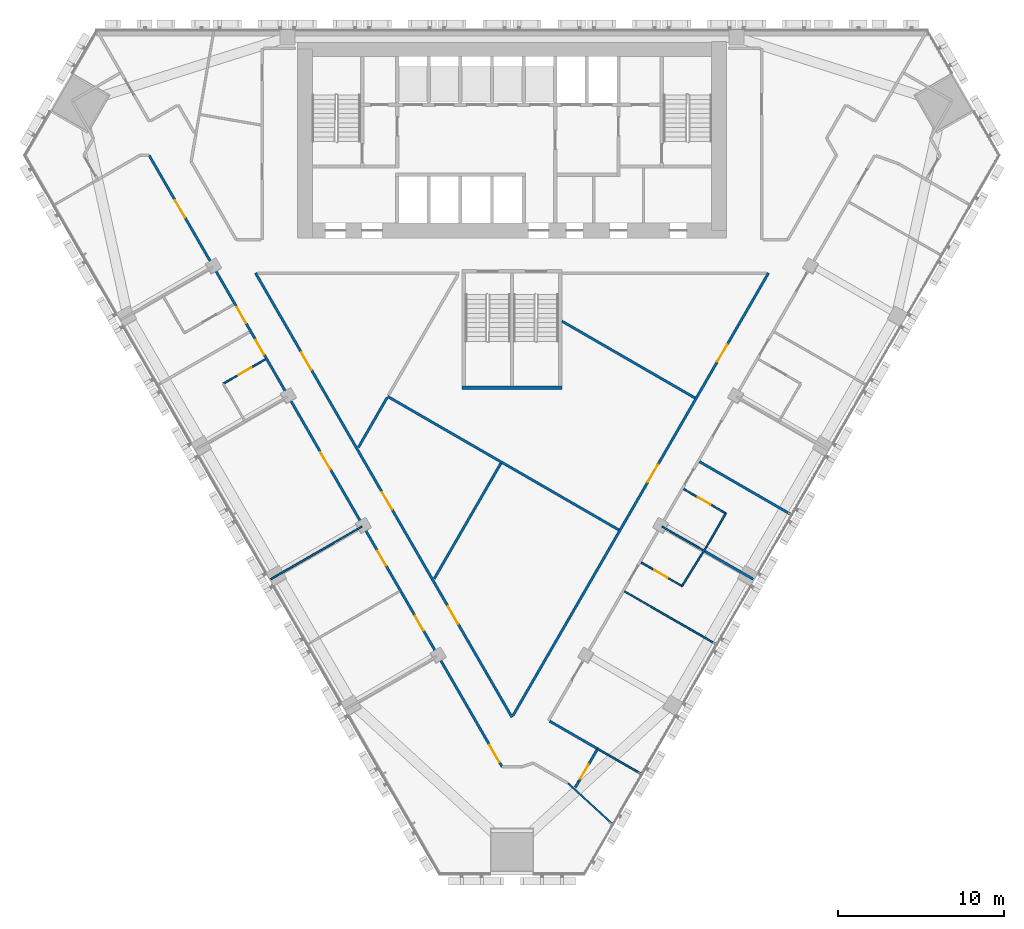
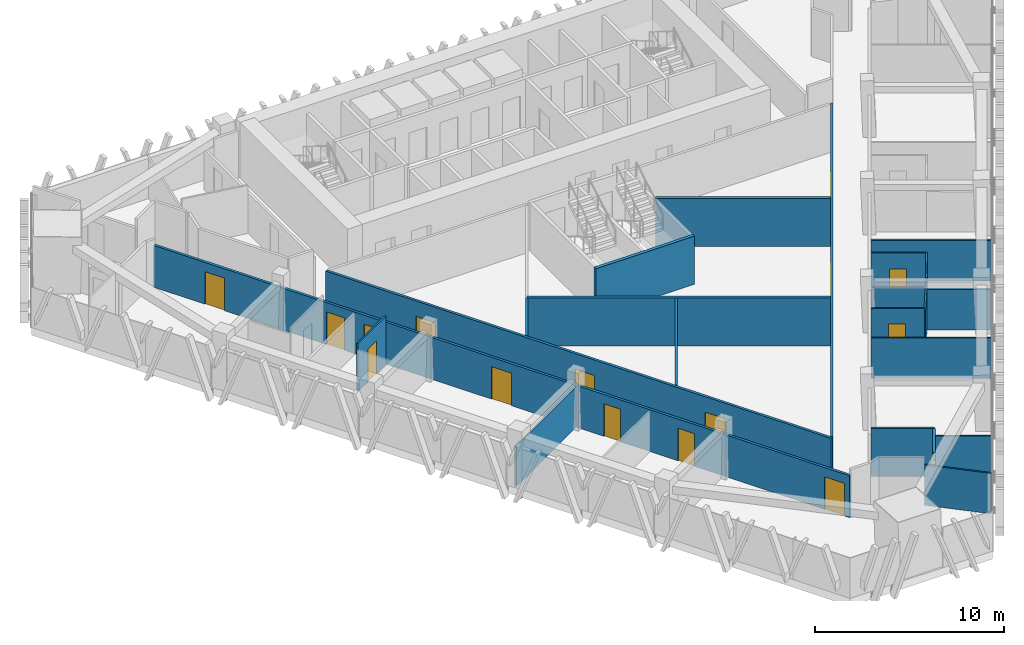
# One storey, part 9 of 16: 23 walls, 16 doors, 16 openings.
"""IFC4 building model written with IfcOpenShell, lengths in metres."""

import ifcopenshell
import ifcopenshell.guid

model = None  # the IFC model being written
_history = None  # IfcOwnerHistory: only IFC2X3 demands one
_inside = {}  # id of a spatial element -> (the spatial element, [elements in it])
_under = {}  # id of a project, library or spatial element -> (it, [spatial elements below it])
_declared = {}  # id of a project -> (the project, [libraries it declares])
_typed = {}  # id of a type object -> (the type object, [elements of that type])
_made_of = {}  # id of a material, layer set ... -> (it, [elements and type objects made of it])


def new_model(schema):
    """Start an empty IFC model of exactly this schema.

    Asked for "IFC4X3", IfcOpenShell would pick the latest addendum, in which some entities
    have other attributes; the version numbers below select the first issue.
    IFC2X3 requires an IfcOwnerHistory on every rooted entity: one is made here for all.
    """
    global model, _history
    if schema == "IFC4X3":
        model = ifcopenshell.file(schema_version=(4, 3, 0, 0))
    else:
        model = ifcopenshell.file(schema=schema)
    _inside.clear()
    _under.clear()
    _declared.clear()
    _typed.clear()
    _made_of.clear()
    _history = None
    if model.schema == "IFC2X3":
        org = make("IfcOrganization", Name="unknown")
        user = make(
            "IfcPersonAndOrganization",
            ThePerson=make("IfcPerson", FamilyName="unknown"),
            TheOrganization=org,
        )
        app = make(
            "IfcApplication",
            ApplicationDeveloper=org,
            Version="unknown",
            ApplicationFullName="unknown",
            ApplicationIdentifier="unknown",
        )
        _history = make(
            "IfcOwnerHistory",
            OwningUser=user,
            OwningApplication=app,
            ChangeAction="ADDED",
            CreationDate=0,
        )
    return model


def make(cls, **values):
    """One entity of the class cls with the attributes given. An attribute that is None is left unset."""
    return model.create_entity(
        cls, **{name: value for name, value in values.items() if value is not None}
    )


def rooted(cls, **values):
    """An entity with a GlobalId (a new one), such as an element, a storey or a relation."""
    return make(cls, GlobalId=ifcopenshell.guid.new(), OwnerHistory=_history, **values)


def si_unit(unit_type, name, prefix=None):
    """IfcSIUnit, for example si_unit("LENGTHUNIT", "METRE", prefix="MILLI")."""
    return make("IfcSIUnit", UnitType=unit_type, Prefix=prefix, Name=name)


def assignment(units):
    """IfcUnitAssignment: the units of a project."""
    return None if units is None else make("IfcUnitAssignment", Units=units)


def point(xyz):
    """IfcCartesianPoint."""
    return None if xyz is None else make("IfcCartesianPoint", Coordinates=xyz)


def direction(xyz):
    """IfcDirection."""
    return None if xyz is None else make("IfcDirection", DirectionRatios=xyz)


def frame(location, z_axis=None, x_axis=None):
    """IfcAxis2Placement3D, a coordinate frame: its origin and axes. An axis left out is left unset."""
    return make(
        "IfcAxis2Placement3D",
        Location=point(location),
        Axis=direction(z_axis),
        RefDirection=direction(x_axis),
    )


def frame_2d(location, x_axis=None):
    """IfcAxis2Placement2D, a coordinate frame in the plane: its origin and x axis."""
    return make(
        "IfcAxis2Placement2D", Location=point(location), RefDirection=direction(x_axis)
    )


def origin():
    """The frame at (0, 0, 0) with its axes left unset."""
    return frame((0.0, 0.0, 0.0))


def place(relative_to, where):
    """IfcLocalPlacement: puts the frame where relative to a parent placement (None: the world)."""
    return make(
        "IfcLocalPlacement", PlacementRelTo=relative_to, RelativePlacement=where
    )


def context(
    kind, dimensions, precision=None, world=None, true_north=None, identifier=None
):
    """IfcGeometricRepresentationContext, for example the 3D "Model" context."""
    return make(
        "IfcGeometricRepresentationContext",
        ContextIdentifier=identifier,
        ContextType=kind,
        CoordinateSpaceDimension=dimensions,
        Precision=precision,
        WorldCoordinateSystem=world,
        TrueNorth=true_north,
    )


def subcontext(parent, identifier, kind, view, scale=None):
    """IfcGeometricRepresentationSubContext, for example "Body" below "Model"."""
    return make(
        "IfcGeometricRepresentationSubContext",
        ContextIdentifier=identifier,
        ContextType=kind,
        ParentContext=parent,
        TargetScale=scale,
        TargetView=view,
    )


def project(units=None, contexts=None):
    """IfcProject with its units and contexts."""
    return rooted(
        "IfcProject",
        Name="project",
        RepresentationContexts=contexts,
        UnitsInContext=assignment(units),
    )


def spatial(cls, under=None, at=None, **own):
    """A site, building, storey or space (cls), placed at a placement, below another one or the project."""
    s = rooted(cls, ObjectPlacement=at, **own)
    if under is not None:
        _under.setdefault(under.id(), (under, []))[1].append(s)
    return s


def profile(cls, at=None, kind="AREA", **sizes):
    """A parametric profile (cls). Its sizes go by their IFC names, for example OverallWidth=200.0."""
    return make(cls, ProfileType=kind, Position=at, **sizes)


def rectangle(**sizes):
    """IfcRectangleProfileDef."""
    return profile("IfcRectangleProfileDef", **sizes)


def extrude(swept, where, along, depth):
    """IfcExtrudedAreaSolid: the profile swept, set in the frame where, extruded along a direction by depth."""
    return make(
        "IfcExtrudedAreaSolid",
        SweptArea=swept,
        Position=where,
        ExtrudedDirection=direction(along),
        Depth=depth,
    )


def shape(context_of_items, identifier, shape_type, items):
    """IfcShapeRepresentation: the items that make up one representation, for example the "Body"."""
    return make(
        "IfcShapeRepresentation",
        ContextOfItems=context_of_items,
        RepresentationIdentifier=identifier,
        RepresentationType=shape_type,
        Items=items,
    )


def material(Name=None, Category=None):
    """IfcMaterial."""
    return make("IfcMaterial", Name=Name, Category=Category)


def layer(
    of_material, thickness, ventilated=None, Name=None, Category=None, Priority=None
):
    """IfcMaterialLayer: one layer of a wall or slab, of a material (None: an air gap)."""
    return make(
        "IfcMaterialLayer",
        Material=of_material,
        LayerThickness=thickness,
        IsVentilated=ventilated,
        Name=Name,
        Category=Category,
        Priority=Priority,
    )


def layer_set(layers, Name=None):
    """IfcMaterialLayerSet."""
    return make("IfcMaterialLayerSet", MaterialLayers=layers, LayerSetName=Name)


def made_of(thing, what):
    """Note that an element or type object is made of a material, layer set ...; save() writes the relation."""
    if what is not None:
        _made_of.setdefault(what.id(), (what, []))[1].append(thing)
    return thing


def type_object(cls, material=None, **own):
    """A type object (cls), such as IfcWallType, which elements share."""
    return made_of(rooted(cls, **own), material)


def element(
    cls,
    number,
    at=None,
    inside=None,
    cuts=None,
    type_object=None,
    material=None,
    context=None,
    identifier="Body",
    shape_type=None,
    held_by="IfcProductDefinitionShape",
    body=None,
    shapes=None,
    **own,
):
    """One element of the class cls, such as IfcWall. Its Tag is "e" and its number.

    at: its placement. inside: the storey or other place that contains it. cuts: it is an
    opening in that element (IfcRelVoidsElement). A single representation is given by context,
    identifier, shape_type and body (its items); several are given by shapes. held_by: the class
    of the entity that holds the representations. save() writes the other relations.
    """
    e = rooted(cls, Tag="e%d" % number, ObjectPlacement=at, **own)
    if body is not None:
        shapes = [shape(context, identifier, shape_type, body)]
    if shapes is not None:
        e.Representation = make(held_by, Representations=shapes)
    if inside is not None:
        _inside.setdefault(inside.id(), (inside, []))[1].append(e)
    if cuts is not None:
        rooted(
            "IfcRelVoidsElement", RelatingBuildingElement=cuts, RelatedOpeningElement=e
        )
    if type_object is not None:
        _typed.setdefault(type_object.id(), (type_object, []))[1].append(e)
    return made_of(e, material)


def fill(opening, filler):
    """IfcRelFillsElement: the door or window that sits in an opening."""
    return rooted(
        "IfcRelFillsElement",
        RelatingOpeningElement=opening,
        RelatedBuildingElement=filler,
    )


def aggregate(whole, parts):
    """IfcRelAggregates: a whole, such as a stair, and the parts it consists of."""
    return rooted("IfcRelAggregates", RelatingObject=whole, RelatedObjects=parts)


def save(model, path):
    """Write the relations noted so far, then the file.

    IfcRelAggregates (storeys below a building ...), IfcRelContainedInSpatialStructure (elements
    in a storey), IfcRelDefinesByType, IfcRelAssociatesMaterial and IfcRelDeclares: one each for
    every whole, place, type object, material and project.
    """
    for whole, parts in _under.values():
        aggregate(whole, parts)
    for where, things in _inside.values():
        rooted(
            "IfcRelContainedInSpatialStructure",
            RelatedElements=things,
            RelatingStructure=where,
        )
    for kind, things in _typed.values():
        rooted("IfcRelDefinesByType", RelatedObjects=things, RelatingType=kind)
    for what, things in _made_of.values():
        rooted("IfcRelAssociatesMaterial", RelatedObjects=things, RelatingMaterial=what)
    for by, libraries in _declared.values():
        rooted("IfcRelDeclares", RelatingContext=by, RelatedDefinitions=libraries)
    model.write(path)


model = new_model("IFC4")

# Units and contexts
model_context = context("Model", 3, precision=1e-05, world=origin(), true_north=direction((0.0, 1.0)))
body_context = subcontext(model_context, "Body", "Model", "MODEL_VIEW")
ifc_project = project(units=[si_unit("LENGTHUNIT", "METRE"), si_unit("AREAUNIT", "SQUARE_METRE"), si_unit("VOLUMEUNIT", "CUBIC_METRE"), si_unit("PLANEANGLEUNIT", "RADIAN"), si_unit("MASSUNIT", "GRAM", prefix="KILO")], contexts=[model_context])

# Site, building, storey
site_placement = place(None, origin())
site = spatial("IfcSite", under=ifc_project, at=site_placement, CompositionType="ELEMENT")
building_placement = place(site_placement, origin())
building = spatial("IfcBuilding", under=site, at=building_placement, Name="Altiplano Prism Tower", CompositionType="ELEMENT")
storey_placement = place(building_placement, frame((0.0, 0.0, 88.199951171875)))
storey = spatial("IfcBuildingStorey", under=building, at=storey_placement, Name="L22", CompositionType="ELEMENT", Elevation=88.199951171875)

# Wall, opening, door
ifc_material_1 = material(Name="Plasterboard on steel stud", Category="steel")
ifc_layer_1 = layer(ifc_material_1, 0.10009765625)
ifc_layer_set_1 = layer_set([ifc_layer_1], Name="Plasterboard on steel stud")
wall_type_1 = type_object("IfcWallType", Name="Partition 100 unit", PredefinedType="PARTITIONING", material=ifc_layer_set_1)
wall_1_placement = place(storey_placement, frame((67.654296875, 83.754150390625, 0.0), z_axis=(0.0, 0.0, 1.0), x_axis=(0.866046596414, 0.499963291492, 0.0)))
wall_1 = element("IfcWall", 1, at=wall_1_placement, inside=storey, type_object=wall_type_1, Name="Partition P02 L22 055", PredefinedType="PARTITIONING", context=body_context, shape_type="SweptSolid", body=[
    extrude(rectangle(XDim=2.925048828125, YDim=0.10009765625, at=frame_2d((1.46240234375, 0.0))), origin(), (0.0, 0.0, 1.0), 3.10009765625),
])
opening_1_placement = place(wall_1_placement, frame((1.050048828125, 0.0, 0.0)))
opening_1 = element("IfcOpeningElement", 2, at=opening_1_placement, cuts=wall_1, Name="Opening D0824", PredefinedType="OPENING", context=body_context, shape_type="SweptSolid", body=[
    extrude(rectangle(XDim=0.89990234375, YDim=2.10009765625, at=frame_2d((0.449951171875, 1.050048828125))), frame((0.0, 0.060546875, 0.0), z_axis=(0.0, -1.0, 0.0), x_axis=(1.0, 0.0, 0.0)), (0.0, 0.0, 1.0), 0.12109375),
])
ifc_material_2 = material(Name="Timber", Category="wood")
door_type_1 = type_object("IfcDoorType", Name="Ensuite door 900 x 2100", OperationType="NOTDEFINED", PredefinedType="NOTDEFINED", material=ifc_material_2)
door_1_placement = place(opening_1_placement, origin())
door_1 = element("IfcDoor", 3, at=door_1_placement, inside=storey, type_object=door_type_1, Name="Door D0824", OperationType="SINGLE_SWING_LEFT", OverallHeight=2.10009765625, OverallWidth=0.89990234375, PredefinedType="NOTDEFINED", context=body_context, shape_type="SweptSolid", body=[
    extrude(rectangle(XDim=0.89990234375, YDim=2.10009765625, at=frame_2d((0.449951171875, 1.050048828125))), frame((0.0, 0.02490234375, 0.0), z_axis=(0.0, -1.0, 0.0), x_axis=(1.0, 0.0, 0.0)), (0.0, 0.0, 1.0), 0.050048828125),
])
fill(opening_1, door_1)

# Wall
wall_2_placement = place(storey_placement, frame((96.695556640625, 73.968017578125, 0.0), z_axis=(0.0, 0.0, 1.0), x_axis=(-0.530562750291, -0.847645661821, 0.0)))
element("IfcWall", 4, at=wall_2_placement, inside=storey, type_object=wall_type_1, Name="Partition P02 L22 063", PredefinedType="PARTITIONING", context=body_context, shape_type="SweptSolid", body=[
    extrude(rectangle(XDim=2.8017578125, YDim=0.10009765625, at=frame_2d((1.40087890625, 0.0))), origin(), (0.0, 0.0, 1.0), 2.699951171875),
])

# Wall, opening, door
wall_3_placement = place(storey_placement, frame((95.208984375, 71.593017578125, 0.0), z_axis=(0.0, 0.0, 1.0), x_axis=(-0.866011447264, 0.500024172624, 0.0)))
wall_3 = element("IfcWall", 5, at=wall_3_placement, inside=storey, type_object=wall_type_1, Name="Partition P02 L22 064", PredefinedType="PARTITIONING", context=body_context, shape_type="SweptSolid", body=[
    extrude(rectangle(XDim=2.824951171875, YDim=0.10009765625, at=frame_2d((1.41259765625, 0.0))), origin(), (0.0, 0.0, 1.0), 3.10009765625),
])
opening_2_placement = place(wall_3_placement, frame((1.0, 0.0, 0.0)))
opening_2 = element("IfcOpeningElement", 6, at=opening_2_placement, cuts=wall_3, Name="Opening D0832", PredefinedType="OPENING", context=body_context, shape_type="SweptSolid", body=[
    extrude(rectangle(XDim=0.89990234375, YDim=2.10009765625, at=frame_2d((0.449951171875, 1.050048828125))), frame((0.0, 0.060546875, 0.0), z_axis=(0.0, -1.0, 0.0), x_axis=(1.0, 0.0, 0.0)), (0.0, 0.0, 1.0), 0.12109375),
])
door_2_placement = place(opening_2_placement, origin())
door_2 = element("IfcDoor", 7, at=door_2_placement, inside=storey, type_object=door_type_1, Name="Door D0832", OperationType="SINGLE_SWING_LEFT", OverallHeight=2.10009765625, OverallWidth=0.89990234375, PredefinedType="NOTDEFINED", context=body_context, shape_type="SweptSolid", body=[
    extrude(rectangle(XDim=0.89990234375, YDim=2.10009765625, at=frame_2d((0.449951171875, 1.050048828125))), frame((0.0, 0.02490234375, 0.0), z_axis=(0.0, -1.0, 0.0), x_axis=(1.0, 0.0, 0.0)), (0.0, 0.0, 1.0), 0.050048828125),
])
fill(opening_2, door_2)

wall_4_placement = place(storey_placement, frame((95.3125, 77.42236328125, 0.0), z_axis=(0.0, 0.0, 1.0), x_axis=(0.86601045545, -0.500025890382, 0.0)))
wall_4 = element("IfcWall", 8, at=wall_4_placement, inside=storey, type_object=wall_type_1, Name="Partition P02 L22 067", PredefinedType="PARTITIONING", context=body_context, shape_type="SweptSolid", body=[
    extrude(rectangle(XDim=2.925048828125, YDim=0.10009765625, at=frame_2d((1.46240234375, 0.0))), origin(), (0.0, 0.0, 1.0), 3.10009765625),
])
opening_3_placement = place(wall_4_placement, frame((0.97509765625, 0.0, 0.0)))
opening_3 = element("IfcOpeningElement", 9, at=opening_3_placement, cuts=wall_4, Name="Opening D0834", PredefinedType="OPENING", context=body_context, shape_type="SweptSolid", body=[
    extrude(rectangle(XDim=0.89990234375, YDim=2.10009765625, at=frame_2d((0.449951171875, 1.050048828125))), frame((0.0, 0.060546875, 0.0), z_axis=(0.0, -1.0, 0.0), x_axis=(1.0, 0.0, 0.0)), (0.0, 0.0, 1.0), 0.12109375),
])
door_3_placement = place(opening_3_placement, origin())
door_3 = element("IfcDoor", 10, at=door_3_placement, inside=storey, type_object=door_type_1, Name="Door D0834", OperationType="SINGLE_SWING_LEFT", OverallHeight=2.10009765625, OverallWidth=0.89990234375, PredefinedType="NOTDEFINED", context=body_context, shape_type="SweptSolid", body=[
    extrude(rectangle(XDim=0.89990234375, YDim=2.10009765625, at=frame_2d((0.449951171875, 1.050048828125))), frame((0.0, 0.02490234375, 0.0), z_axis=(0.0, -1.0, 0.0), x_axis=(1.0, 0.0, 0.0)), (0.0, 0.0, 1.0), 0.050048828125),
])
fill(opening_3, door_3)

# Walls
wall_5_placement = place(storey_placement, frame((97.845703125, 75.959716796875, 0.0), z_axis=(0.0, 0.0, 1.0), x_axis=(-0.500077740698, -0.865980515519, 0.0)))
element("IfcWall", 11, at=wall_5_placement, inside=storey, type_object=wall_type_1, Name="Partition P02 L22 068", PredefinedType="PARTITIONING", context=body_context, shape_type="SweptSolid", body=[
    extrude(rectangle(XDim=2.300048828125, YDim=0.10009765625, at=frame_2d((1.14990234375, 0.0))), origin(), (0.0, 0.0, 1.0), 3.10009765625),
])
ifc_layer_2 = layer(ifc_material_1, 0.10009765625)
ifc_layer_set_2 = layer_set([ifc_layer_2], Name="Plasterboard on steel stud")
wall_type_2 = type_object("IfcWallType", Name="Partition 100 wet", PredefinedType="PARTITIONING", material=ifc_layer_set_2)
wall_6_placement = place(storey_placement, frame((70.510009765625, 72.008056640625, 0.0), z_axis=(0.0, 0.0, 1.0), x_axis=(0.866015887322, 0.500016482634, 0.0)))
element("IfcWall", 12, at=wall_6_placement, inside=storey, type_object=wall_type_2, Name="Partition P03 L22 057", PredefinedType="PARTITIONING", context=body_context, shape_type="SweptSolid", body=[
    extrude(rectangle(XDim=6.324951171875, YDim=0.10009765625, at=frame_2d((3.16259765625, 0.0))), origin(), (0.0, 0.0, 1.0), 2.60009765625),
])
wall_7_placement = place(storey_placement, frame((91.026611328125, 57.306884765625, 0.0), z_axis=(0.0, 0.0, 1.0), x_axis=(-0.736909652075, 0.675991246007, 0.0)))
element("IfcWall", 13, at=wall_7_placement, inside=storey, type_object=wall_type_2, Name="Partition P03 L22 060", PredefinedType="PARTITIONING", context=body_context, shape_type="SweptSolid", body=[
    extrude(rectangle(XDim=3.60693359375, YDim=0.10009765625, at=frame_2d((1.803466796875, 0.0))), origin(), (0.0, 0.0, 1.0), 2.60009765625),
])
wall_8_placement = place(storey_placement, frame((92.757568359375, 60.306640625, 0.0), z_axis=(0.0, 0.0, 1.0), x_axis=(-0.865995682262, 0.500051475653, 0.0)))
element("IfcWall", 14, at=wall_8_placement, inside=storey, type_object=wall_type_2, Name="Partition P03 L22 061", PredefinedType="PARTITIONING", context=body_context, shape_type="SweptSolid", body=[
    extrude(rectangle(XDim=3.040283203125, YDim=0.10009765625, at=frame_2d((1.52001953125, 0.0))), origin(), (0.0, 0.0, 1.0), 2.60009765625),
])
wall_9_placement = place(storey_placement, frame((97.257568359375, 68.100830078125, 0.0), z_axis=(0.0, 0.0, 1.0), x_axis=(-0.866025401434, 0.500000004071, 0.0)))
element("IfcWall", 15, at=wall_9_placement, inside=storey, type_object=wall_type_2, Name="Partition P03 L22 062", PredefinedType="PARTITIONING", context=body_context, shape_type="SweptSolid", body=[
    extrude(rectangle(XDim=6.34521484375, YDim=0.10009765625, at=frame_2d((3.172607421875, 0.0))), origin(), (0.0, 0.0, 1.0), 2.60009765625),
])
wall_10_placement = place(storey_placement, frame((96.476318359375, 73.748046875, 0.0), z_axis=(0.0, 0.0, 1.0), x_axis=(-0.866011243319, 0.500024525844, 0.0)))
element("IfcWall", 16, at=wall_10_placement, inside=storey, type_object=wall_type_2, Name="Partition P03 L22 066", PredefinedType="PARTITIONING", context=body_context, shape_type="SweptSolid", body=[
    extrude(rectangle(XDim=2.844970703125, YDim=0.10009765625, at=frame_2d((1.42236328125, 0.0))), origin(), (0.0, 0.0, 1.0), 2.699951171875),
])

# Wall, openings, doors
ifc_layer_3 = layer(ifc_material_1, 0.14990234375)
ifc_layer_set_3 = layer_set([ifc_layer_3], Name="Plasterboard on steel stud")
wall_type_3 = type_object("IfcWallType", Name="Partition 150 corridor", PredefinedType="PARTITIONING", material=ifc_layer_set_3)
wall_11_placement = place(storey_placement, frame((63.197998046875, 97.472900390625, 0.0), z_axis=(0.0, 0.0, 1.0), x_axis=(0.499996804348, -0.866027248787, 0.0)))
wall_11 = element("IfcWall", 17, at=wall_11_placement, inside=storey, type_object=wall_type_3, Name="Partition P06 L22 017", PredefinedType="PARTITIONING", context=body_context, shape_type="SweptSolid", body=[
    extrude(rectangle(XDim=42.418212890625, YDim=0.14990234375, at=frame_2d((21.208984375, 0.0))), origin(), (0.0, 0.0, 1.0), 2.699951171875),
])
opening_4_placement = place(wall_11_placement, frame((3.123046875, 0.0, 0.0)))
opening_4 = element("IfcOpeningElement", 18, at=opening_4_placement, cuts=wall_11, Name="Opening D0820", PredefinedType="OPENING", context=body_context, shape_type="SweptSolid", body=[
    extrude(rectangle(XDim=1.199951171875, YDim=2.10009765625, at=frame_2d((0.60009765625, 1.050048828125))), frame((0.0, 0.08544921875, 0.0), z_axis=(0.0, -1.0, 0.0), x_axis=(1.0, 0.0, 0.0)), (0.0, 0.0, 1.0), 0.1708984375),
])
opening_5_placement = place(wall_11_placement, frame((10.5380859375, 0.0, 0.0)))
opening_5 = element("IfcOpeningElement", 19, at=opening_5_placement, cuts=wall_11, Name="Opening D0821", PredefinedType="OPENING", context=body_context, shape_type="SweptSolid", body=[
    extrude(rectangle(XDim=1.10009765625, YDim=2.10009765625, at=frame_2d((0.550048828125, 1.050048828125))), frame((0.0, 0.08544921875, 0.0), z_axis=(0.0, -1.0, 0.0), x_axis=(1.0, 0.0, 0.0)), (0.0, 0.0, 1.0), 0.1708984375),
])
opening_6_placement = place(wall_11_placement, frame((12.81396484375, 0.0, 0.0)))
opening_6 = element("IfcOpeningElement", 20, at=opening_6_placement, cuts=wall_11, Name="Opening D0823", PredefinedType="OPENING", context=body_context, shape_type="SweptSolid", body=[
    extrude(rectangle(XDim=1.0, YDim=2.10009765625, at=frame_2d((0.5, 1.050048828125))), frame((0.0, 0.08544921875, 0.0), z_axis=(0.0, -1.0, 0.0), x_axis=(1.0, 0.0, 0.0)), (0.0, 0.0, 1.0), 0.1708984375),
])
opening_7_placement = place(wall_11_placement, frame((20.60888671875, 0.0, 0.0)))
opening_7 = element("IfcOpeningElement", 21, at=opening_7_placement, cuts=wall_11, Name="Opening D0825", PredefinedType="OPENING", context=body_context, shape_type="SweptSolid", body=[
    extrude(rectangle(XDim=1.199951171875, YDim=2.10009765625, at=frame_2d((0.60009765625, 1.050048828125))), frame((0.0, 0.08544921875, 0.0), z_axis=(0.0, -1.0, 0.0), x_axis=(1.0, 0.0, 0.0)), (0.0, 0.0, 1.0), 0.1708984375),
])
opening_8_placement = place(wall_11_placement, frame((27.458984375, 0.0, 0.0)))
opening_8 = element("IfcOpeningElement", 22, at=opening_8_placement, cuts=wall_11, Name="Opening D0826", PredefinedType="OPENING", context=body_context, shape_type="SweptSolid", body=[
    extrude(rectangle(XDim=1.0, YDim=2.10009765625, at=frame_2d((0.5, 1.050048828125))), frame((0.0, 0.08544921875, 0.0), z_axis=(0.0, -1.0, 0.0), x_axis=(1.0, 0.0, 0.0)), (0.0, 0.0, 1.0), 0.1708984375),
])
opening_9_placement = place(wall_11_placement, frame((31.958984375, 0.0, 0.0)))
opening_9 = element("IfcOpeningElement", 23, at=opening_9_placement, cuts=wall_11, Name="Opening D0827", PredefinedType="OPENING", context=body_context, shape_type="SweptSolid", body=[
    extrude(rectangle(XDim=1.0, YDim=2.10009765625, at=frame_2d((0.5, 1.050048828125))), frame((0.0, 0.08544921875, 0.0), z_axis=(0.0, -1.0, 0.0), x_axis=(1.0, 0.0, 0.0)), (0.0, 0.0, 1.0), 0.1708984375),
])
opening_10_placement = place(wall_11_placement, frame((40.905029296875, 0.0, 0.0)))
opening_10 = element("IfcOpeningElement", 24, at=opening_10_placement, cuts=wall_11, Name="Opening D0828", PredefinedType="OPENING", context=body_context, shape_type="SweptSolid", body=[
    extrude(rectangle(XDim=1.199951171875, YDim=2.10009765625, at=frame_2d((0.60009765625, 1.050048828125))), frame((0.0, 0.08544921875, 0.0), z_axis=(0.0, -1.0, 0.0), x_axis=(1.0, 0.0, 0.0)), (0.0, 0.0, 1.0), 0.1708984375),
])
door_type_2 = type_object("IfcDoorType", Name="Accessible bedroom door 1100 x 2100", OperationType="NOTDEFINED", PredefinedType="NOTDEFINED", material=ifc_material_2)
door_4_placement = place(opening_5_placement, origin())
door_4 = element("IfcDoor", 25, at=door_4_placement, inside=storey, type_object=door_type_2, Name="Door D0821", OperationType="SINGLE_SWING_RIGHT", OverallHeight=2.10009765625, OverallWidth=1.10009765625, PredefinedType="NOTDEFINED", context=body_context, shape_type="SweptSolid", body=[
    extrude(rectangle(XDim=1.10009765625, YDim=2.10009765625, at=frame_2d((0.550048828125, 1.050048828125))), frame((0.0, 0.02490234375, 0.0), z_axis=(0.0, -1.0, 0.0), x_axis=(1.0, 0.0, 0.0)), (0.0, 0.0, 1.0), 0.050048828125),
])
fill(opening_5, door_4)
door_type_3 = type_object("IfcDoorType", Name="Bedroom entrance door 1000 x 2100", OperationType="NOTDEFINED", PredefinedType="NOTDEFINED", material=ifc_material_2)
door_5_placement = place(opening_6_placement, origin())
door_5 = element("IfcDoor", 26, at=door_5_placement, inside=storey, type_object=door_type_3, Name="Door D0823", OperationType="SINGLE_SWING_RIGHT", OverallHeight=2.10009765625, OverallWidth=1.0, PredefinedType="NOTDEFINED", context=body_context, shape_type="SweptSolid", body=[
    extrude(rectangle(XDim=1.0, YDim=2.10009765625, at=frame_2d((0.5, 1.050048828125))), frame((0.0, 0.02490234375, 0.0), z_axis=(0.0, -1.0, 0.0), x_axis=(1.0, 0.0, 0.0)), (0.0, 0.0, 1.0), 0.050048828125),
])
fill(opening_6, door_5)
door_type_4 = type_object("IfcDoorType", Name="Room door 1000 x 2100", OperationType="NOTDEFINED", PredefinedType="NOTDEFINED", material=ifc_material_2)
door_6_placement = place(opening_8_placement, origin())
door_6 = element("IfcDoor", 27, at=door_6_placement, inside=storey, type_object=door_type_4, Name="Door D0826", OperationType="SINGLE_SWING_RIGHT", OverallHeight=2.10009765625, OverallWidth=1.0, PredefinedType="NOTDEFINED", context=body_context, shape_type="SweptSolid", body=[
    extrude(rectangle(XDim=1.0, YDim=2.10009765625, at=frame_2d((0.5, 1.050048828125))), frame((0.0, 0.02490234375, 0.0), z_axis=(0.0, -1.0, 0.0), x_axis=(1.0, 0.0, 0.0)), (0.0, 0.0, 1.0), 0.050048828125),
])
fill(opening_8, door_6)
door_7_placement = place(opening_9_placement, origin())
door_7 = element("IfcDoor", 28, at=door_7_placement, inside=storey, type_object=door_type_4, Name="Door D0827", OperationType="SINGLE_SWING_RIGHT", OverallHeight=2.10009765625, OverallWidth=1.0, PredefinedType="NOTDEFINED", context=body_context, shape_type="SweptSolid", body=[
    extrude(rectangle(XDim=1.0, YDim=2.10009765625, at=frame_2d((0.5, 1.050048828125))), frame((0.0, 0.02490234375, 0.0), z_axis=(0.0, -1.0, 0.0), x_axis=(1.0, 0.0, 0.0)), (0.0, 0.0, 1.0), 0.050048828125),
])
fill(opening_9, door_7)
door_type_5 = type_object("IfcDoorType", Name="Shared room door 1200 x 2100", OperationType="NOTDEFINED", PredefinedType="NOTDEFINED", material=ifc_material_2)
door_8_placement = place(opening_4_placement, origin())
door_8 = element("IfcDoor", 29, at=door_8_placement, inside=storey, type_object=door_type_5, Name="Door D0820", OperationType="SINGLE_SWING_RIGHT", OverallHeight=2.10009765625, OverallWidth=1.199951171875, PredefinedType="NOTDEFINED", context=body_context, shape_type="SweptSolid", body=[
    extrude(rectangle(XDim=1.199951171875, YDim=2.10009765625, at=frame_2d((0.60009765625, 1.050048828125))), frame((0.0, 0.02490234375, 0.0), z_axis=(0.0, -1.0, 0.0), x_axis=(1.0, 0.0, 0.0)), (0.0, 0.0, 1.0), 0.050048828125),
])
fill(opening_4, door_8)
door_9_placement = place(opening_7_placement, origin())
door_9 = element("IfcDoor", 30, at=door_9_placement, inside=storey, type_object=door_type_5, Name="Door D0825", OperationType="SINGLE_SWING_LEFT", OverallHeight=2.10009765625, OverallWidth=1.199951171875, PredefinedType="NOTDEFINED", context=body_context, shape_type="SweptSolid", body=[
    extrude(rectangle(XDim=1.199951171875, YDim=2.10009765625, at=frame_2d((0.60009765625, 1.050048828125))), frame((0.0, 0.02490234375, 0.0), z_axis=(0.0, -1.0, 0.0), x_axis=(1.0, 0.0, 0.0)), (0.0, 0.0, 1.0), 0.050048828125),
])
fill(opening_7, door_9)
door_10_placement = place(opening_10_placement, origin())
door_10 = element("IfcDoor", 31, at=door_10_placement, inside=storey, type_object=door_type_5, Name="Door D0828", OperationType="SINGLE_SWING_LEFT", OverallHeight=2.10009765625, OverallWidth=1.199951171875, PredefinedType="NOTDEFINED", context=body_context, shape_type="SweptSolid", body=[
    extrude(rectangle(XDim=1.199951171875, YDim=2.10009765625, at=frame_2d((0.60009765625, 1.050048828125))), frame((0.0, 0.02490234375, 0.0), z_axis=(0.0, -1.0, 0.0), x_axis=(1.0, 0.0, 0.0)), (0.0, 0.0, 1.0), 0.050048828125),
])
fill(opening_10, door_10)

# Wall
wall_12_placement = place(storey_placement, frame((88.801513671875, 59.4951171875, 0.0), z_axis=(0.0, 0.0, 1.0), x_axis=(0.500153222552, 0.865936922628, 0.0)))
element("IfcWall", 32, at=wall_12_placement, inside=storey, type_object=wall_type_3, Name="Partition P06 L22 021", PredefinedType="PARTITIONING", context=body_context, shape_type="SweptSolid", body=[
    extrude(rectangle(XDim=0.392578125, YDim=0.14990234375, at=frame_2d((0.1962890625, 0.0))), origin(), (0.0, 0.0, 1.0), 2.60009765625),
])

# Wall, opening, door
wall_13_placement = place(storey_placement, frame((88.997802734375, 59.8349609375, 0.0), z_axis=(0.0, 0.0, 1.0), x_axis=(0.499970690241, 0.86604232512, 0.0)))
wall_13 = element("IfcWall", 33, at=wall_13_placement, inside=storey, type_object=wall_type_3, Name="Partition P06 L22 022", PredefinedType="PARTITIONING", context=body_context, shape_type="SweptSolid", body=[
    extrude(rectangle(XDim=2.213623046875, YDim=0.14990234375, at=frame_2d((1.10693359375, 0.0))), origin(), (0.0, 0.0, 1.0), 3.10009765625),
])
opening_11_placement = place(wall_13_placement, frame((0.2109375, 0.0, 0.0)))
opening_11 = element("IfcOpeningElement", 34, at=opening_11_placement, cuts=wall_13, Name="Opening D0829", PredefinedType="OPENING", context=body_context, shape_type="SweptSolid", body=[
    extrude(rectangle(XDim=1.0, YDim=2.10009765625, at=frame_2d((0.5, 1.050048828125))), frame((0.0, 0.08544921875, 0.0), z_axis=(0.0, -1.0, 0.0), x_axis=(1.0, 0.0, 0.0)), (0.0, 0.0, 1.0), 0.1708984375),
])
door_11_placement = place(opening_11_placement, origin())
door_11 = element("IfcDoor", 35, at=door_11_placement, inside=storey, type_object=door_type_4, Name="Door D0829", OperationType="SINGLE_SWING_RIGHT", OverallHeight=2.10009765625, OverallWidth=1.0, PredefinedType="NOTDEFINED", context=body_context, shape_type="SweptSolid", body=[
    extrude(rectangle(XDim=1.0, YDim=2.10009765625, at=frame_2d((0.5, 1.050048828125))), frame((0.0, 0.02490234375, 0.0), z_axis=(0.0, -1.0, 0.0), x_axis=(1.0, 0.0, 0.0)), (0.0, 0.0, 1.0), 0.050048828125),
])
fill(opening_11, door_11)

# Wall
wall_14_placement = place(storey_placement, frame((90.159423828125, 61.806884765625, 0.0), z_axis=(0.0, 0.0, 1.0), x_axis=(-0.866051895906, 0.499954111491, 0.0)))
element("IfcWall", 36, at=wall_14_placement, inside=storey, type_object=wall_type_3, Name="Partition P06 L22 023", PredefinedType="PARTITIONING", context=body_context, shape_type="SweptSolid", body=[
    extrude(rectangle(XDim=3.344970703125, YDim=0.14990234375, at=frame_2d((1.67236328125, 0.0))), origin(), (0.0, 0.0, 1.0), 3.10009765625),
])

# Wall, openings, doors
wall_15_placement = place(storey_placement, frame((100.4091796875, 90.39990234375, 0.0), z_axis=(0.0, 0.0, 1.0), x_axis=(-0.500001354695, -0.86602462165, 0.0)))
wall_15 = element("IfcWall", 37, at=wall_15_placement, inside=storey, type_object=wall_type_3, Name="Partition P06 L22 032", PredefinedType="PARTITIONING", context=body_context, shape_type="SweptSolid", body=[
    extrude(rectangle(XDim=30.6884765625, YDim=0.14990234375, at=frame_2d((15.34423828125, 0.0))), origin(), (0.0, 0.0, 1.0), 3.10009765625),
])
opening_12_placement = place(wall_15_placement, frame((13.301025390625, 0.0, 0.0)))
opening_12 = element("IfcOpeningElement", 38, at=opening_12_placement, cuts=wall_15, Name="Opening D0841", PredefinedType="OPENING", context=body_context, shape_type="SweptSolid", body=[
    extrude(rectangle(XDim=1.199951171875, YDim=2.10009765625, at=frame_2d((0.60009765625, 1.050048828125))), frame((0.0, 0.08544921875, 0.0), z_axis=(0.0, -1.0, 0.0), x_axis=(1.0, 0.0, 0.0)), (0.0, 0.0, 1.0), 0.1708984375),
])
opening_13_placement = place(wall_15_placement, frame((4.949951171875, 0.0, 0.0)))
opening_13 = element("IfcOpeningElement", 39, at=opening_13_placement, cuts=wall_15, Name="Opening D0845", PredefinedType="OPENING", context=body_context, shape_type="SweptSolid", body=[
    extrude(rectangle(XDim=1.199951171875, YDim=2.10009765625, at=frame_2d((0.60009765625, 1.050048828125))), frame((0.0, 0.08544921875, 0.0), z_axis=(0.0, -1.0, 0.0), x_axis=(1.0, 0.0, 0.0)), (0.0, 0.0, 1.0), 0.1708984375),
])
door_12_placement = place(opening_12_placement, origin())
door_12 = element("IfcDoor", 40, at=door_12_placement, inside=storey, type_object=door_type_5, Name="Door D0841", OperationType="SINGLE_SWING_RIGHT", OverallHeight=2.10009765625, OverallWidth=1.199951171875, PredefinedType="NOTDEFINED", context=body_context, shape_type="SweptSolid", body=[
    extrude(rectangle(XDim=1.199951171875, YDim=2.10009765625, at=frame_2d((0.60009765625, 1.050048828125))), frame((0.0, 0.02490234375, 0.0), z_axis=(0.0, -1.0, 0.0), x_axis=(1.0, 0.0, 0.0)), (0.0, 0.0, 1.0), 0.050048828125),
])
fill(opening_12, door_12)
door_13_placement = place(opening_13_placement, origin())
door_13 = element("IfcDoor", 41, at=door_13_placement, inside=storey, type_object=door_type_5, Name="Door D0845", OperationType="SINGLE_SWING_LEFT", OverallHeight=2.10009765625, OverallWidth=1.199951171875, PredefinedType="NOTDEFINED", context=body_context, shape_type="SweptSolid", body=[
    extrude(rectangle(XDim=1.199951171875, YDim=2.10009765625, at=frame_2d((0.60009765625, 1.050048828125))), frame((0.0, 0.02490234375, 0.0), z_axis=(0.0, -1.0, 0.0), x_axis=(1.0, 0.0, 0.0)), (0.0, 0.0, 1.0), 0.050048828125),
])
fill(opening_13, door_13)

wall_16_placement = place(storey_placement, frame((85.0, 63.710693359375, 0.0), z_axis=(0.0, 0.0, 1.0), x_axis=(-0.500003837735, 0.866023188056, 0.0)))
wall_16 = element("IfcWall", 42, at=wall_16_placement, inside=storey, type_object=wall_type_3, Name="Partition P06 L22 033", PredefinedType="PARTITIONING", context=body_context, shape_type="SweptSolid", body=[
    extrude(rectangle(XDim=30.818115234375, YDim=0.14990234375, at=frame_2d((15.4091796875, 0.0))), origin(), (0.0, 0.0, 1.0), 3.10009765625),
])
opening_14_placement = place(wall_16_placement, frame((6.47607421875, 0.0, 0.0)))
opening_14 = element("IfcOpeningElement", 43, at=opening_14_placement, cuts=wall_16, Name="Opening D0842", PredefinedType="OPENING", context=body_context, shape_type="SweptSolid", body=[
    extrude(rectangle(XDim=1.199951171875, YDim=2.10009765625, at=frame_2d((0.60009765625, 1.050048828125))), frame((0.0, 0.08544921875, 0.0), z_axis=(0.0, -1.0, 0.0), x_axis=(1.0, 0.0, 0.0)), (0.0, 0.0, 1.0), 0.1708984375),
])
opening_15_placement = place(wall_16_placement, frame((24.10400390625, 0.0, 0.0)))
opening_15 = element("IfcOpeningElement", 44, at=opening_15_placement, cuts=wall_16, Name="Opening D0844", PredefinedType="OPENING", context=body_context, shape_type="SweptSolid", body=[
    extrude(rectangle(XDim=1.199951171875, YDim=2.10009765625, at=frame_2d((0.60009765625, 1.050048828125))), frame((0.0, 0.08544921875, 0.0), z_axis=(0.0, -1.0, 0.0), x_axis=(1.0, 0.0, 0.0)), (0.0, 0.0, 1.0), 0.1708984375),
])
opening_16_placement = place(wall_16_placement, frame((14.408935546875, 0.0, 0.0)))
opening_16 = element("IfcOpeningElement", 45, at=opening_16_placement, cuts=wall_16, Name="Opening D0846", PredefinedType="OPENING", context=body_context, shape_type="SweptSolid", body=[
    extrude(rectangle(XDim=1.199951171875, YDim=2.10009765625, at=frame_2d((0.60009765625, 1.050048828125))), frame((0.0, 0.08544921875, 0.0), z_axis=(0.0, -1.0, 0.0), x_axis=(1.0, 0.0, 0.0)), (0.0, 0.0, 1.0), 0.1708984375),
])
door_14_placement = place(opening_14_placement, origin())
door_14 = element("IfcDoor", 46, at=door_14_placement, inside=storey, type_object=door_type_5, Name="Door D0842", OperationType="SINGLE_SWING_RIGHT", OverallHeight=2.10009765625, OverallWidth=1.199951171875, PredefinedType="NOTDEFINED", context=body_context, shape_type="SweptSolid", body=[
    extrude(rectangle(XDim=1.199951171875, YDim=2.10009765625, at=frame_2d((0.60009765625, 1.050048828125))), frame((0.0, 0.02490234375, 0.0), z_axis=(0.0, -1.0, 0.0), x_axis=(1.0, 0.0, 0.0)), (0.0, 0.0, 1.0), 0.050048828125),
])
fill(opening_14, door_14)
door_15_placement = place(opening_15_placement, origin())
door_15 = element("IfcDoor", 47, at=door_15_placement, inside=storey, type_object=door_type_5, Name="Door D0844", OperationType="SINGLE_SWING_RIGHT", OverallHeight=2.10009765625, OverallWidth=1.199951171875, PredefinedType="NOTDEFINED", context=body_context, shape_type="SweptSolid", body=[
    extrude(rectangle(XDim=1.199951171875, YDim=2.10009765625, at=frame_2d((0.60009765625, 1.050048828125))), frame((0.0, 0.02490234375, 0.0), z_axis=(0.0, -1.0, 0.0), x_axis=(1.0, 0.0, 0.0)), (0.0, 0.0, 1.0), 0.050048828125),
])
fill(opening_15, door_15)
door_16_placement = place(opening_16_placement, origin())
door_16 = element("IfcDoor", 48, at=door_16_placement, inside=storey, type_object=door_type_5, Name="Door D0846", OperationType="SINGLE_SWING_LEFT", OverallHeight=2.10009765625, OverallWidth=1.199951171875, PredefinedType="NOTDEFINED", context=body_context, shape_type="SweptSolid", body=[
    extrude(rectangle(XDim=1.199951171875, YDim=2.10009765625, at=frame_2d((0.60009765625, 1.050048828125))), frame((0.0, 0.02490234375, 0.0), z_axis=(0.0, -1.0, 0.0), x_axis=(1.0, 0.0, 0.0)), (0.0, 0.0, 1.0), 0.050048828125),
])
fill(opening_16, door_16)

# Walls
ifc_layer_4 = layer(ifc_material_1, 0.14990234375)
ifc_layer_set_4 = layer_set([ifc_layer_4], Name="Plasterboard on steel stud")
wall_type_4 = type_object("IfcWallType", Name="Partition 150 party", PredefinedType="PARTITIONING", material=ifc_layer_set_4)
wall_17_placement = place(storey_placement, frame((99.489990234375, 72.008056640625, 0.0), z_axis=(0.0, 0.0, 1.0), x_axis=(-0.865989465428, 0.500062241894, 0.0)))
element("IfcWall", 49, at=wall_17_placement, inside=storey, type_object=wall_type_4, Name="Partition P01 L22 065", PredefinedType="PARTITIONING", context=body_context, shape_type="SweptSolid", body=[
    extrude(rectangle(XDim=3.39990234375, YDim=0.14990234375, at=frame_2d((1.699951171875, 0.0))), origin(), (0.0, 0.0, 1.0), 2.60009765625),
])
wall_18_placement = place(storey_placement, frame((101.757568359375, 75.895263671875, 0.0), z_axis=(0.0, 0.0, 1.0), x_axis=(-0.866025401434, 0.500000004071, 0.0)))
element("IfcWall", 50, at=wall_18_placement, inside=storey, type_object=wall_type_4, Name="Partition P01 L22 069", PredefinedType="PARTITIONING", context=body_context, shape_type="SweptSolid", body=[
    extrude(rectangle(XDim=6.34521484375, YDim=0.14990234375, at=frame_2d((3.172607421875, 0.0))), origin(), (0.0, 0.0, 1.0), 2.60009765625),
])
wall_19_placement = place(storey_placement, frame((77.5361328125, 82.9814453125, 0.0), z_axis=(0.0, 0.0, 1.0), x_axis=(0.866023714899, -0.500002925224, 0.0)))
element("IfcWall", 51, at=wall_19_placement, inside=storey, type_object=wall_type_4, Name="Partition P01 L22 080", PredefinedType="PARTITIONING", context=body_context, shape_type="SweptSolid", body=[
    extrude(rectangle(XDim=16.0244140625, YDim=0.14990234375, at=frame_2d((8.01220703125, 0.0))), origin(), (0.0, 0.0, 1.0), 3.10009765625),
])
wall_20_placement = place(storey_placement, frame((95.98974609375, 82.895263671875, 0.0), z_axis=(0.0, 0.0, 1.0), x_axis=(-0.866018126392, 0.500012604601, 0.0)))
element("IfcWall", 52, at=wall_20_placement, inside=storey, type_object=wall_type_4, Name="Partition P01 L22 082", PredefinedType="PARTITIONING", context=body_context, shape_type="SweptSolid", body=[
    extrude(rectangle(XDim=9.225830078125, YDim=0.14990234375, at=frame_2d((4.61279296875, 0.0))), origin(), (0.0, 0.0, 1.0), 3.10009765625),
])
wall_21_placement = place(storey_placement, frame((84.333740234375, 78.970458984375, 0.0), z_axis=(0.0, 0.0, 1.0), x_axis=(-0.500001977421, -0.866024262117, 0.0)))
element("IfcWall", 53, at=wall_21_placement, inside=storey, type_object=wall_type_4, Name="Partition P01 L22 083", PredefinedType="PARTITIONING", context=body_context, shape_type="SweptSolid", body=[
    extrude(rectangle(XDim=8.01416015625, YDim=0.14990234375, at=frame_2d((4.007080078125, 0.0))), origin(), (0.0, 0.0, 1.0), 3.10009765625),
])
wall_22_placement = place(storey_placement, frame((75.77001953125, 79.92236328125, 0.0), z_axis=(0.0, 0.0, 1.0), x_axis=(0.49996696679, 0.866044474677, 0.0)))
element("IfcWall", 54, at=wall_22_placement, inside=storey, type_object=wall_type_4, Name="Partition P01 L22 084", PredefinedType="PARTITIONING", context=body_context, shape_type="SweptSolid", body=[
    extrude(rectangle(XDim=3.457275390625, YDim=0.14990234375, at=frame_2d((1.728515625, 0.0))), origin(), (0.0, 0.0, 1.0), 3.10009765625),
])
ifc_material_3 = material(Name="Concrete C60/75", Category="concrete")
ifc_layer_5 = layer(ifc_material_3, 0.199951171875)
ifc_layer_set_5 = layer_set([ifc_layer_5], Name="Concrete C60/75")
wall_type_5 = type_object("IfcWallType", Name="Stair wall 200", PredefinedType="SOLIDWALL", material=ifc_layer_set_5)
wall_23_placement = place(storey_placement, frame((82.0, 83.5, 0.0), z_axis=(0.0, 0.0, 1.0), x_axis=(1.0, 0.0, 0.0)))
element("IfcWall", 55, at=wall_23_placement, inside=storey, type_object=wall_type_5, Name="Stair 3 wall south L22", PredefinedType="SOLIDWALL", context=body_context, shape_type="SweptSolid", body=[
    extrude(rectangle(XDim=6.0, YDim=0.199951171875, at=frame_2d((3.0, 0.0))), origin(), (0.0, 0.0, 1.0), 3.10009765625),
])

save(model, "model.ifc")
